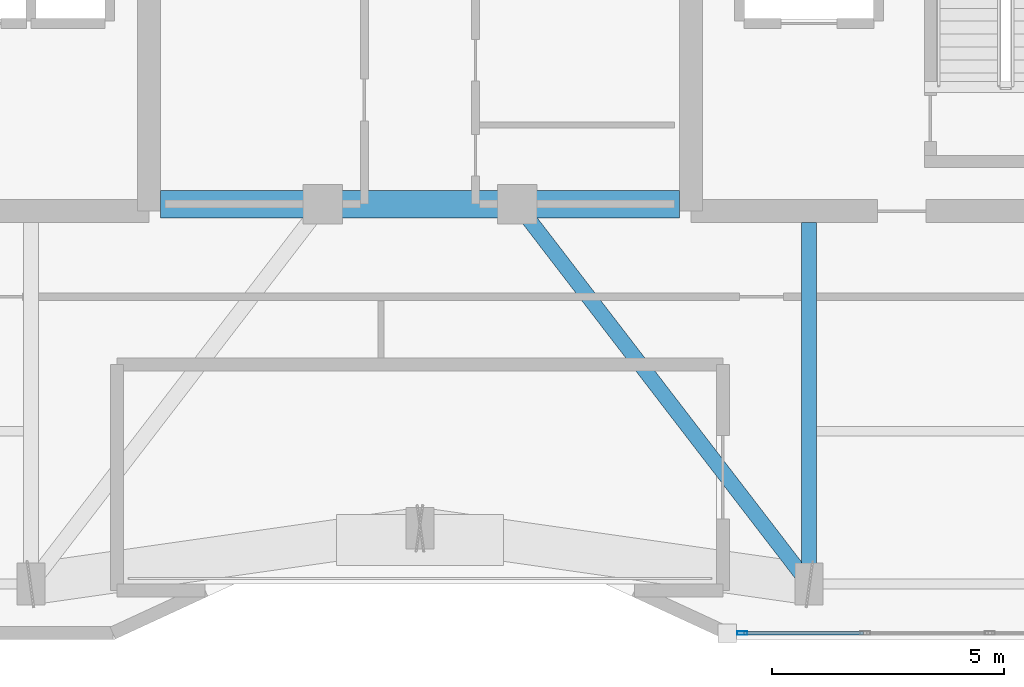
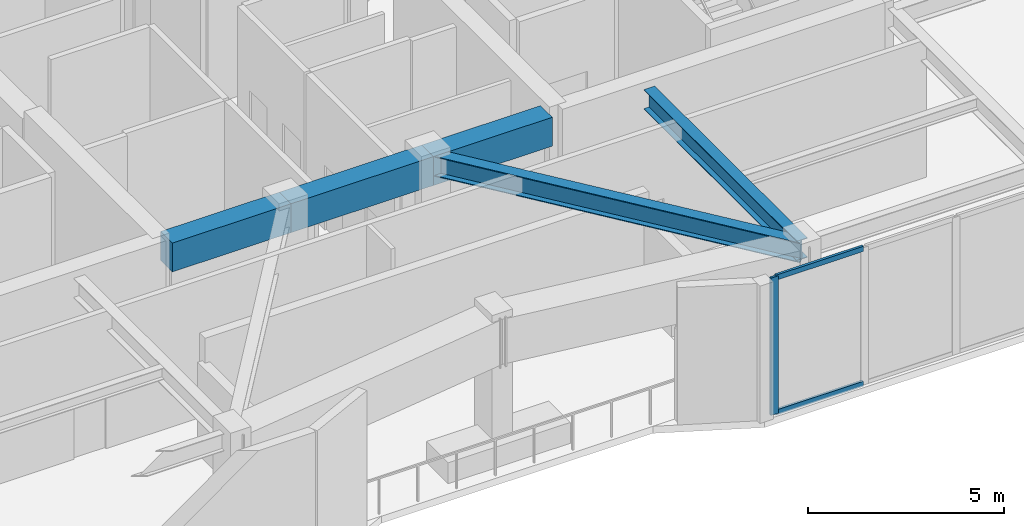
# One storey, part 2 of 14: 5 beams, 3 members, 1 element without a shape of its own.
"""IFC4 building model written with IfcOpenShell, lengths in metres."""

from ifc_helpers import new_model, si_unit, direction, frame, origin, origin_2d, place, context, subcontext, project, spatial, rectangle, hollow_rectangle, i_section, extrude, material, layer, layer_set, material_profile, profile_set, type_object, element, aggregate, save


model = new_model("IFC4")

# Units and contexts
model_context = context("Model", 3, precision=1e-05, world=origin(), true_north=direction((0.0, 1.0)))
body_context = subcontext(model_context, "Body", "Model", "MODEL_VIEW")
ifc_project = project(units=[si_unit("LENGTHUNIT", "METRE"), si_unit("AREAUNIT", "SQUARE_METRE"), si_unit("VOLUMEUNIT", "CUBIC_METRE"), si_unit("PLANEANGLEUNIT", "RADIAN"), si_unit("MASSUNIT", "GRAM", prefix="KILO")], contexts=[model_context])

# Site, building, storey
site_placement = place(None, origin())
site = spatial("IfcSite", under=ifc_project, at=site_placement, CompositionType="ELEMENT")
building_placement = place(site_placement, origin())
building = spatial("IfcBuilding", under=site, at=building_placement, Name="Kiyonajd Concourse Tower", CompositionType="ELEMENT")
storey_placement = place(building_placement, frame((0.0, 0.0, 294.0)))
storey = spatial("IfcBuildingStorey", under=building, at=storey_placement, Name="L74", CompositionType="ELEMENT", Elevation=294.0)

# Beams
ifc_material_1 = material(Name="Concrete C60/75", Category="concrete")
ifc_material_profile_1 = material_profile(ifc_material_1, rectangle(XDim=0.60009765625, YDim=0.89990234375, at=origin_2d()), Name="RCBM-600x900")
ifc_profile_set_1 = profile_set([ifc_material_profile_1], Name="Concrete C60/75")
beam_type_1 = type_object("IfcBeamType", Name="BM-COUP-900", PredefinedType="LINTEL", material=ifc_profile_set_1)
beam_1_placement = place(storey_placement, frame((42.39990234375, 28.0, 3.830078125), z_axis=(1.0, 0.0, 0.0), x_axis=(0.0, 1.0, 0.0)))
element("IfcBeam", 1, at=beam_1_placement, inside=storey, type_object=beam_type_1, Name="L74 Core Coupling Beam S1", PredefinedType="LINTEL", context=body_context, shape_type="SweptSolid", body=[
    extrude(rectangle(XDim=0.60009765625, YDim=0.89990234375, at=origin_2d()), origin(), (0.0, 0.0, 1.0), 3.5),
])
beam_2_placement = place(storey_placement, frame((45.89990234375, 28.0, 3.830078125), z_axis=(1.0, 0.0, 0.0), x_axis=(0.0, 1.0, 0.0)))
element("IfcBeam", 2, at=beam_2_placement, inside=storey, type_object=beam_type_1, Name="L74 Core Coupling Beam S2", PredefinedType="LINTEL", context=body_context, shape_type="SweptSolid", body=[
    extrude(rectangle(XDim=0.60009765625, YDim=0.89990234375, at=origin_2d()), origin(), (0.0, 0.0, 1.0), 4.2001953125),
])
beam_3_placement = place(storey_placement, frame((50.10009765625, 28.0, 3.830078125), z_axis=(1.0, 0.0, 0.0), x_axis=(0.0, 1.0, 0.0)))
element("IfcBeam", 3, at=beam_3_placement, inside=storey, type_object=beam_type_1, Name="L74 Core Coupling Beam S3", PredefinedType="LINTEL", context=body_context, shape_type="SweptSolid", body=[
    extrude(rectangle(XDim=0.60009765625, YDim=0.89990234375, at=origin_2d()), origin(), (0.0, 0.0, 1.0), 3.5),
])
ifc_material_2 = material(Name="Steel ASTM A992 Grade 50", Category="steel")
ifc_material_profile_2 = material_profile(ifc_material_2, i_section(OverallWidth=0.326904296875, OverallDepth=0.6220703125, WebThickness=0.015380859375, FlangeThickness=0.0244140625, at=origin_2d()), Name="W610X195")
ifc_profile_set_2 = profile_set([ifc_material_profile_2], Name="Steel ASTM A992 Grade 50")
beam_type_2 = type_object("IfcBeamType", Name="BM-TWR-610A", PredefinedType="BEAM", material=ifc_profile_set_2)
beam_4_placement = place(storey_placement, frame((50.10009765625, 28.0, 3.968994140625), z_axis=(0.609233709922, -0.792990722956, 0.0), x_axis=(0.792990722956, 0.609233709922, 0.0)))
element("IfcBeam", 4, at=beam_4_placement, inside=storey, type_object=beam_type_2, Name="L74 Core Tie Girder", PredefinedType="BEAM", context=body_context, shape_type="SweptSolid", body=[
    extrude(i_section(OverallWidth=0.326904296875, OverallDepth=0.6220703125, WebThickness=0.015380859375, FlangeThickness=0.0244140625, at=origin_2d()), origin(), (0.0, 0.0, 1.0), 10.340576171875),
])
ifc_material_profile_3 = material_profile(ifc_material_2, i_section(OverallWidth=0.323974609375, OverallDepth=0.611083984375, WebThickness=0.0126953125, FlangeThickness=0.01904296875, at=origin_2d()), Name="W610X155")
ifc_profile_set_3 = profile_set([ifc_material_profile_3], Name="Steel ASTM A992 Grade 50")
beam_type_3 = type_object("IfcBeamType", Name="BM-TWR-610B", PredefinedType="BEAM", material=ifc_profile_set_3)
beam_5_placement = place(storey_placement, frame((56.39990234375, 19.800048828125, 3.974609375), z_axis=(0.0, 1.0, 0.0), x_axis=(-1.0, 0.0, 0.0)))
element("IfcBeam", 5, at=beam_5_placement, inside=storey, type_object=beam_type_3, Name="L74 South Lease Girder", PredefinedType="BEAM", context=body_context, shape_type="SweptSolid", body=[
    extrude(i_section(OverallWidth=0.323974609375, OverallDepth=0.611083984375, WebThickness=0.0126953125, FlangeThickness=0.01904296875, at=origin_2d()), origin(), (0.0, 0.0, 1.0), 7.800048828125),
])

# Curtain wall, members
ifc_material_3 = material(Name="Thermally Broken Anodised Aluminium", Category="aluminium")
ifc_layer = layer(ifc_material_3, 0.179931640625)
ifc_layer_set = layer_set([ifc_layer], Name="Thermally Broken Anodised Aluminium")
curtain_wall_type = type_object("IfcCurtainWallType", Name="CW-SYS-05", PredefinedType="NOTDEFINED", material=ifc_layer_set)
curtain_wall_placement = place(storey_placement, origin())
curtain_wall = element("IfcCurtainWall", 6, at=curtain_wall_placement, inside=storey, type_object=curtain_wall_type, Name="L74 Unitised Curtain Wall CW5", PredefinedType="NOTDEFINED")
ifc_material_profile_4 = material_profile(ifc_material_3, hollow_rectangle(XDim=0.074951171875, YDim=0.219970703125, WallThickness=0.0048828125, at=origin_2d()), Name="MULL-75x220")
ifc_profile_set_4 = profile_set([ifc_material_profile_4], Name="Thermally Broken Anodised Aluminium")
member_type_1 = type_object("IfcMemberType", Name="MB-CW-MULL2", PredefinedType="MULLION", material=ifc_profile_set_4)
member_1_placement = place(storey_placement, frame((54.958251953125, 18.739990234375, 0.0), z_axis=(0.0, 0.0, 1.0), x_axis=(0.0, -1.0, 0.0)))
member_1 = element("IfcMember", 7, at=member_1_placement, type_object=member_type_1, Name="CW5 mullion 5", PredefinedType="MULLION", context=body_context, shape_type="SweptSolid", body=[
    extrude(hollow_rectangle(XDim=0.074951171875, YDim=0.219970703125, WallThickness=0.0048828125, at=origin_2d()), origin(), (0.0, 0.0, 1.0), 4.280029296875),
])
ifc_material_profile_5 = material_profile(ifc_material_3, hollow_rectangle(XDim=0.074951171875, YDim=0.159912109375, WallThickness=0.0048828125, at=origin_2d()), Name="TRAN-75x160")
ifc_profile_set_5 = profile_set([ifc_material_profile_5], Name="Thermally Broken Anodised Aluminium")
member_type_2 = type_object("IfcMemberType", Name="MB-CW-TRAN2", PredefinedType="USERDEFINED", material=ifc_profile_set_5)
member_2_placement = place(storey_placement, frame((57.575927734375, 18.739990234375, 0.03759765625), z_axis=(-1.0, 0.0, 0.0), x_axis=(0.0, -1.0, 0.0)))
member_2 = element("IfcMember", 8, at=member_2_placement, type_object=member_type_2, Name="CW5 transom 4.1", ObjectType="TRANSOM", PredefinedType="USERDEFINED", context=body_context, shape_type="SweptSolid", body=[
    extrude(hollow_rectangle(XDim=0.074951171875, YDim=0.159912109375, WallThickness=0.0048828125, at=origin_2d()), origin(), (0.0, 0.0, 1.0), 2.580322265625),
])
member_3_placement = place(storey_placement, frame((57.575927734375, 18.739990234375, 4.242431640625), z_axis=(-1.0, 0.0, 0.0), x_axis=(0.0, -1.0, 0.0)))
member_3 = element("IfcMember", 9, at=member_3_placement, type_object=member_type_2, Name="CW5 transom 4.2", ObjectType="TRANSOM", PredefinedType="USERDEFINED", context=body_context, shape_type="SweptSolid", body=[
    extrude(hollow_rectangle(XDim=0.074951171875, YDim=0.159912109375, WallThickness=0.0048828125, at=origin_2d()), origin(), (0.0, 0.0, 1.0), 2.580322265625),
])
aggregate(curtain_wall, [member_1, member_2, member_3])

save(model, "model.ifc")
